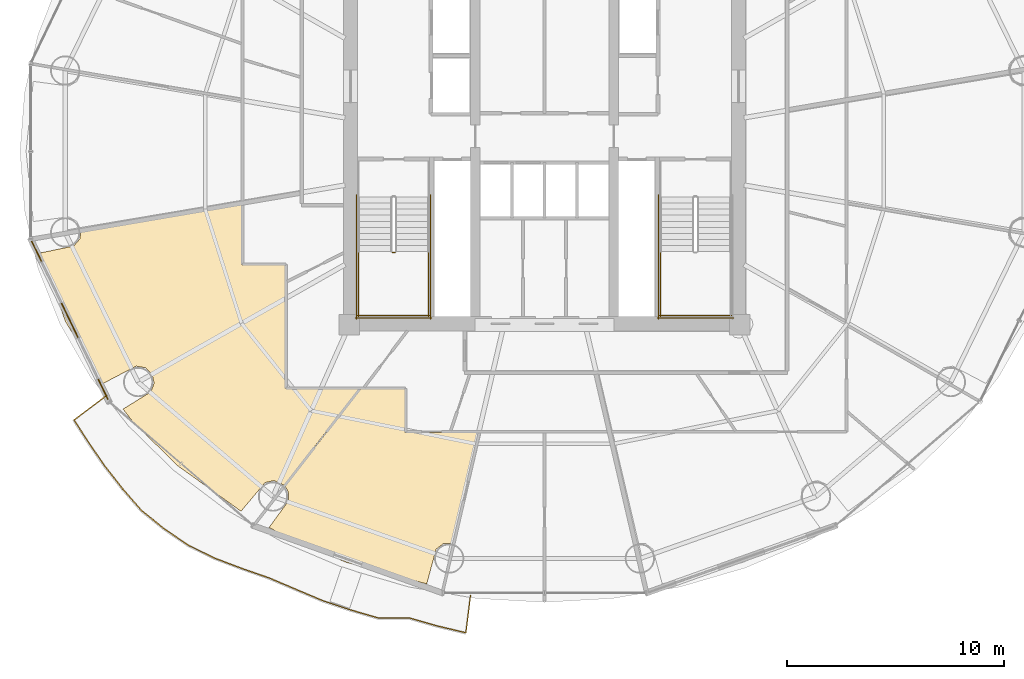
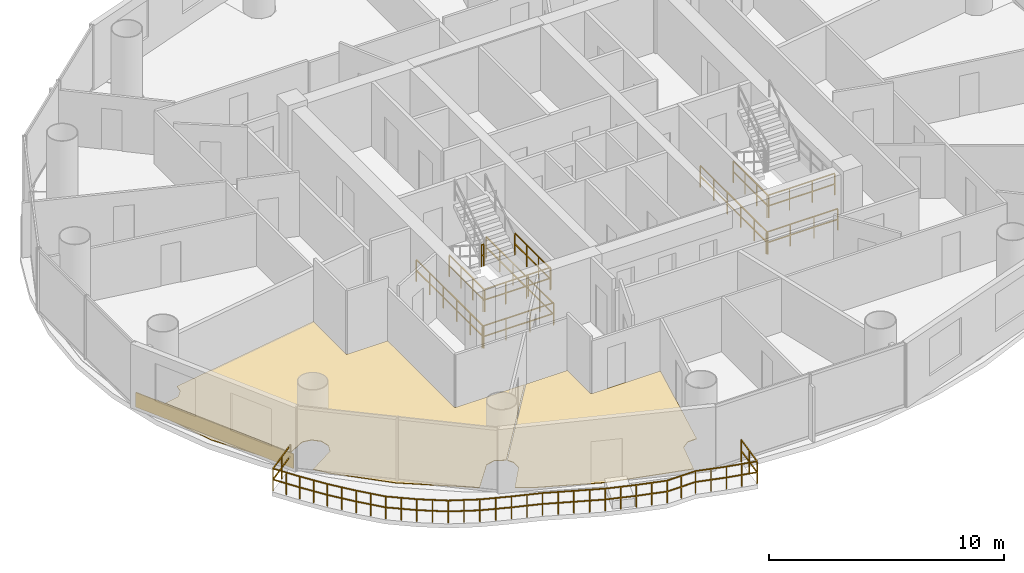
# One storey, part 24 of 26: 12 railings, 3 coverings.
"""IFC4 building model written with IfcOpenShell, lengths in metres."""

from ifc_helpers import new_model, si_unit, direction, frame, origin, origin_2d, place, context, subcontext, project, spatial, polyline, rectangle, outline, extrude, source, transform, mapped, material, layer, layer_set, type_object, element, save


model = new_model("IFC4")

# Units and contexts
model_context = context("Model", 3, precision=1e-05, world=origin(), true_north=direction((-0.2419218956, 0.970295726276)))
body_context = subcontext(model_context, "Body", "Model", "MODEL_VIEW")
ifc_project = project(units=[si_unit("LENGTHUNIT", "METRE"), si_unit("AREAUNIT", "SQUARE_METRE"), si_unit("VOLUMEUNIT", "CUBIC_METRE"), si_unit("PLANEANGLEUNIT", "RADIAN"), si_unit("MASSUNIT", "GRAM", prefix="KILO")], contexts=[model_context])

# Site, building, storey
site_placement = place(None, origin())
site = spatial("IfcSite", under=ifc_project, at=site_placement, CompositionType="ELEMENT")
building_placement = place(site_placement, origin())
building = spatial("IfcBuilding", under=site, at=building_placement, Name="Cobrevalo Terracotta Tower", CompositionType="ELEMENT")
storey_placement = place(building_placement, frame((0.0, 0.0, 135.39990234375)))
storey = spatial("IfcBuildingStorey", under=building, at=storey_placement, Name="L35", CompositionType="ELEMENT", Elevation=135.39990234375)

# Railing
ifc_material_1 = material(Name="Laminated structural glass and stainless steel", Category="steel")
railing_type_1 = type_object("IfcRailingType", Name="Balcony lobe structural glass & terracotta-cap balustrade 1180 mm", PredefinedType="BALUSTRADE", material=ifc_material_1)
railing_1_placement = place(storey_placement, frame((17.812744140625, 15.553955078125, 0.0)))
element("IfcRailing", 1, at=railing_1_placement, inside=storey, type_object=railing_type_1, Name="L35 spiralling balcony lobe balustrade 2", PredefinedType="BALUSTRADE", context=body_context, shape_type="SweptSolid", body=[
    extrude(rectangle(XDim=0.048095703125, YDim=0.048095703125, at=origin_2d()), frame((0.0, 0.0, 1.15576171875), z_axis=(-0.798656411587, -0.601787284869, 0.0), x_axis=(0.601787284869, -0.798656411587, 0.0)), (0.0, 0.0, 1.0), 1.89990234375),
    extrude(rectangle(XDim=0.048095703125, YDim=0.048095703125, at=origin_2d()), frame((0.0, 0.0, 0.58984375), z_axis=(-0.798656411587, -0.601787284869, 0.0), x_axis=(0.601787284869, -0.798656411587, 0.0)), (0.0, 0.0, 1.0), 1.89990234375),
    extrude(rectangle(XDim=0.048095703125, YDim=0.048095703125, at=origin_2d()), frame((-1.517333984375, -1.143310546875, 1.15576171875), z_axis=(0.541365481873, -0.840787378019, 0.0), x_axis=(0.840787378019, 0.541365481873, 0.0)), (0.0, 0.0, 1.0), 1.278564453125),
    extrude(rectangle(XDim=0.048095703125, YDim=0.048095703125, at=origin_2d()), frame((-1.517333984375, -1.143310546875, 0.58984375), z_axis=(0.541365481873, -0.840787378019, 0.0), x_axis=(0.840787378019, 0.541365481873, 0.0)), (0.0, 0.0, 1.0), 1.278564453125),
    extrude(rectangle(XDim=0.048095703125, YDim=0.048095703125, at=origin_2d()), frame((-0.8251953125, -2.21826171875, 1.15576171875), z_axis=(0.568436502893, -0.822727137135, 0.0), x_axis=(0.822727137135, 0.568436502893, 0.0)), (0.0, 0.0, 1.0), 1.297119140625),
    extrude(rectangle(XDim=0.048095703125, YDim=0.048095703125, at=origin_2d()), frame((-0.8251953125, -2.21826171875, 0.58984375), z_axis=(0.568436502893, -0.822727137135, 0.0), x_axis=(0.822727137135, 0.568436502893, 0.0)), (0.0, 0.0, 1.0), 1.297119140625),
    extrude(rectangle(XDim=0.048095703125, YDim=0.048095703125, at=origin_2d()), frame((-0.087890625, -3.285400390625, 1.15576171875), z_axis=(0.617117437076, -0.786871062409, 0.0), x_axis=(0.786871062409, 0.617117437076, 0.0)), (0.0, 0.0, 1.0), 1.3173828125),
    extrude(rectangle(XDim=0.048095703125, YDim=0.048095703125, at=origin_2d()), frame((-0.087890625, -3.285400390625, 0.58984375), z_axis=(0.617117437076, -0.786871062409, 0.0), x_axis=(0.786871062409, 0.617117437076, 0.0)), (0.0, 0.0, 1.0), 1.3173828125),
    extrude(rectangle(XDim=0.048095703125, YDim=0.048095703125, at=origin_2d()), frame((0.72509765625, -4.322021484375, 1.15576171875), z_axis=(0.655849886333, -0.754891334297, 0.0), x_axis=(0.754891334297, 0.655849886333, 0.0)), (0.0, 0.0, 1.0), 1.32373046875),
    extrude(rectangle(XDim=0.048095703125, YDim=0.048095703125, at=origin_2d()), frame((0.72509765625, -4.322021484375, 0.58984375), z_axis=(0.655849886333, -0.754891334297, 0.0), x_axis=(0.754891334297, 0.655849886333, 0.0)), (0.0, 0.0, 1.0), 1.32373046875),
    extrude(rectangle(XDim=0.048095703125, YDim=0.048095703125, at=origin_2d()), frame((1.59326171875, -5.3212890625, 1.15576171875), z_axis=(0.779372178767, -0.626561255556, 0.0), x_axis=(0.626561255556, 0.779372178767, 0.0)), (0.0, 0.0, 1.0), 1.3388671875),
    extrude(rectangle(XDim=0.048095703125, YDim=0.048095703125, at=origin_2d()), frame((1.59326171875, -5.3212890625, 0.58984375), z_axis=(0.779372178767, -0.626561255556, 0.0), x_axis=(0.626561255556, 0.779372178767, 0.0)), (0.0, 0.0, 1.0), 1.3388671875),
    extrude(rectangle(XDim=0.048095703125, YDim=0.048095703125, at=origin_2d()), frame((2.63671875, -6.16015625, 1.15576171875), z_axis=(0.825620548878, -0.564225760907, 0.0), x_axis=(0.564225760907, 0.825620548878, 0.0)), (0.0, 0.0, 1.0), 1.33740234375),
    extrude(rectangle(XDim=0.048095703125, YDim=0.048095703125, at=origin_2d()), frame((2.63671875, -6.16015625, 0.58984375), z_axis=(0.825620548878, -0.564225760907, 0.0), x_axis=(0.564225760907, 0.825620548878, 0.0)), (0.0, 0.0, 1.0), 1.33740234375),
    extrude(rectangle(XDim=0.048095703125, YDim=0.048095703125, at=origin_2d()), frame((3.740966796875, -6.914794921875, 1.15576171875), z_axis=(0.896585828938, -0.44287001631, 0.0), x_axis=(0.44287001631, 0.896585828938, 0.0)), (0.0, 0.0, 1.0), 1.3505859375),
    extrude(rectangle(XDim=0.048095703125, YDim=0.048095703125, at=origin_2d()), frame((3.740966796875, -6.914794921875, 0.58984375), z_axis=(0.896585828938, -0.44287001631, 0.0), x_axis=(0.44287001631, 0.896585828938, 0.0)), (0.0, 0.0, 1.0), 1.3505859375),
    extrude(rectangle(XDim=0.048095703125, YDim=0.048095703125, at=origin_2d()), frame((4.951904296875, -7.512939453125, 1.15576171875), z_axis=(0.935225211331, -0.354053391581, 0.0), x_axis=(0.354053391581, 0.935225211331, 0.0)), (0.0, 0.0, 1.0), 1.35986328125),
    extrude(rectangle(XDim=0.048095703125, YDim=0.048095703125, at=origin_2d()), frame((4.951904296875, -7.512939453125, 0.58984375), z_axis=(0.935225211331, -0.354053391581, 0.0), x_axis=(0.354053391581, 0.935225211331, 0.0)), (0.0, 0.0, 1.0), 1.35986328125),
    extrude(rectangle(XDim=0.048095703125, YDim=0.048095703125, at=origin_2d()), frame((6.2236328125, -7.994384765625, 1.15576171875), z_axis=(0.944403635811, -0.328788340223, 0.0), x_axis=(0.328788340223, 0.944403635811, 0.0)), (0.0, 0.0, 1.0), 1.343994140625),
    extrude(rectangle(XDim=0.048095703125, YDim=0.048095703125, at=origin_2d()), frame((6.2236328125, -7.994384765625, 0.58984375), z_axis=(0.944403635811, -0.328788340223, 0.0), x_axis=(0.328788340223, 0.944403635811, 0.0)), (0.0, 0.0, 1.0), 1.343994140625),
    extrude(rectangle(XDim=0.048095703125, YDim=0.048095703125, at=origin_2d()), frame((7.492919921875, -8.436279296875, 1.15576171875), z_axis=(0.920149056217, -0.391568275456, 0.0), x_axis=(0.391568275456, 0.920149056217, 0.0)), (0.0, 0.0, 1.0), 1.341796875),
    extrude(rectangle(XDim=0.048095703125, YDim=0.048095703125, at=origin_2d()), frame((7.492919921875, -8.436279296875, 0.58984375), z_axis=(0.920149056217, -0.391568275456, 0.0), x_axis=(0.391568275456, 0.920149056217, 0.0)), (0.0, 0.0, 1.0), 1.341796875),
    extrude(rectangle(XDim=0.048095703125, YDim=0.048095703125, at=origin_2d()), frame((8.7275390625, -8.961669921875, 1.15576171875), z_axis=(0.921343781407, -0.388748808953, 0.0), x_axis=(0.388748808953, 0.921343781407, 0.0)), (0.0, 0.0, 1.0), 1.3408203125),
    extrude(rectangle(XDim=0.048095703125, YDim=0.048095703125, at=origin_2d()), frame((8.7275390625, -8.961669921875, 0.58984375), z_axis=(0.921343781407, -0.388748808953, 0.0), x_axis=(0.388748808953, 0.921343781407, 0.0)), (0.0, 0.0, 1.0), 1.3408203125),
    extrude(rectangle(XDim=0.048095703125, YDim=0.048095703125, at=origin_2d()), frame((9.962890625, -9.48291015625, 1.15576171875), z_axis=(0.949296870619, -0.31438106087, 0.0), x_axis=(0.31438106087, 0.949296870619, 0.0)), (0.0, 0.0, 1.0), 1.348876953125),
    extrude(rectangle(XDim=0.048095703125, YDim=0.048095703125, at=origin_2d()), frame((9.962890625, -9.48291015625, 0.58984375), z_axis=(0.949296870619, -0.31438106087, 0.0), x_axis=(0.31438106087, 0.949296870619, 0.0)), (0.0, 0.0, 1.0), 1.348876953125),
    extrude(rectangle(XDim=0.048095703125, YDim=0.048095703125, at=origin_2d()), frame((11.243408203125, -9.906982421875, 1.15576171875), z_axis=(0.960034306764, -0.279882349991, 0.0), x_axis=(0.279882349991, 0.960034306764, 0.0)), (0.0, 0.0, 1.0), 1.354736328125),
    extrude(rectangle(XDim=0.048095703125, YDim=0.048095703125, at=origin_2d()), frame((11.243408203125, -9.906982421875, 0.58984375), z_axis=(0.960034306764, -0.279882349991, 0.0), x_axis=(0.279882349991, 0.960034306764, 0.0)), (0.0, 0.0, 1.0), 1.354736328125),
    extrude(rectangle(XDim=0.048095703125, YDim=0.048095703125, at=origin_2d()), frame((12.5439453125, -10.2861328125, 1.15576171875), z_axis=(0.999959805651, 0.008965884333, 0.0), x_axis=(-0.008965884333, 0.999959805651, 0.0)), (0.0, 0.0, 1.0), 1.388671875),
    extrude(rectangle(XDim=0.048095703125, YDim=0.048095703125, at=origin_2d()), frame((12.5439453125, -10.2861328125, 0.58984375), z_axis=(0.999959805651, 0.008965884333, 0.0), x_axis=(-0.008965884333, 0.999959805651, 0.0)), (0.0, 0.0, 1.0), 1.388671875),
    extrude(rectangle(XDim=0.048095703125, YDim=0.048095703125, at=origin_2d()), frame((13.9326171875, -10.273681640625, 1.15576171875), z_axis=(0.961652958864, -0.274269186582, 0.0), x_axis=(0.274269186582, 0.961652958864, 0.0)), (0.0, 0.0, 1.0), 1.355712890625),
    extrude(rectangle(XDim=0.048095703125, YDim=0.048095703125, at=origin_2d()), frame((13.9326171875, -10.273681640625, 0.58984375), z_axis=(0.961652958864, -0.274269186582, 0.0), x_axis=(0.274269186582, 0.961652958864, 0.0)), (0.0, 0.0, 1.0), 1.355712890625),
    extrude(rectangle(XDim=0.048095703125, YDim=0.048095703125, at=origin_2d()), frame((15.236328125, -10.6455078125, 1.15576171875), z_axis=(0.973015656678, -0.230739099113, 0.0), x_axis=(0.230739099113, 0.973015656678, 0.0)), (0.0, 0.0, 1.0), 1.360595703125),
    extrude(rectangle(XDim=0.048095703125, YDim=0.048095703125, at=origin_2d()), frame((15.236328125, -10.6455078125, 0.58984375), z_axis=(0.973015656678, -0.230739099113, 0.0), x_axis=(0.230739099113, 0.973015656678, 0.0)), (0.0, 0.0, 1.0), 1.360595703125),
    extrude(rectangle(XDim=0.048095703125, YDim=0.048095703125, at=origin_2d()), frame((16.560302734375, -10.95947265625, 1.15576171875), z_axis=(0.122385975291, 0.99248258073, 0.0), x_axis=(-0.99248258073, 0.122385975291, 0.0)), (0.0, 0.0, 1.0), 1.7314453125),
    extrude(rectangle(XDim=0.048095703125, YDim=0.048095703125, at=origin_2d()), frame((16.560302734375, -10.95947265625, 0.58984375), z_axis=(0.122385975291, 0.99248258073, 0.0), x_axis=(-0.99248258073, 0.122385975291, 0.0)), (0.0, 0.0, 1.0), 1.7314453125),
    extrude(rectangle(XDim=0.0419921875, YDim=0.0419921875, at=origin_2d()), origin(), (0.0, 0.0, 1.0), 1.1318359375),
    extrude(rectangle(XDim=0.0419921875, YDim=0.0419921875, at=origin_2d()), frame((-0.7587890625, -0.57177734375, 0.0)), (0.0, 0.0, 1.0), 1.1318359375),
    extrude(rectangle(XDim=0.0419921875, YDim=0.0419921875, at=origin_2d()), frame((-1.517333984375, -1.143310546875, 0.0)), (0.0, 0.0, 1.0), 1.1318359375),
    extrude(rectangle(XDim=0.0419921875, YDim=0.0419921875, at=origin_2d()), frame((-1.17138671875, -1.6806640625, 0.0)), (0.0, 0.0, 1.0), 1.1318359375),
    extrude(rectangle(XDim=0.0419921875, YDim=0.0419921875, at=origin_2d()), frame((-0.8251953125, -2.21826171875, 0.0)), (0.0, 0.0, 1.0), 1.1318359375),
    extrude(rectangle(XDim=0.0419921875, YDim=0.0419921875, at=origin_2d()), frame((-0.45654296875, -2.751953125, 0.0)), (0.0, 0.0, 1.0), 1.1318359375),
    extrude(rectangle(XDim=0.0419921875, YDim=0.0419921875, at=origin_2d()), frame((-0.087890625, -3.285400390625, 0.0)), (0.0, 0.0, 1.0), 1.1318359375),
    extrude(rectangle(XDim=0.0419921875, YDim=0.0419921875, at=origin_2d()), frame((0.318603515625, -3.8037109375, 0.0)), (0.0, 0.0, 1.0), 1.1318359375),
    extrude(rectangle(XDim=0.0419921875, YDim=0.0419921875, at=origin_2d()), frame((0.72509765625, -4.322021484375, 0.0)), (0.0, 0.0, 1.0), 1.1318359375),
    extrude(rectangle(XDim=0.0419921875, YDim=0.0419921875, at=origin_2d()), frame((1.1591796875, -4.82177734375, 0.0)), (0.0, 0.0, 1.0), 1.1318359375),
    extrude(rectangle(XDim=0.0419921875, YDim=0.0419921875, at=origin_2d()), frame((1.59326171875, -5.3212890625, 0.0)), (0.0, 0.0, 1.0), 1.1318359375),
    extrude(rectangle(XDim=0.0419921875, YDim=0.0419921875, at=origin_2d()), frame((2.114990234375, -5.74072265625, 0.0)), (0.0, 0.0, 1.0), 1.1318359375),
    extrude(rectangle(XDim=0.0419921875, YDim=0.0419921875, at=origin_2d()), frame((2.63671875, -6.16015625, 0.0)), (0.0, 0.0, 1.0), 1.1318359375),
    extrude(rectangle(XDim=0.0419921875, YDim=0.0419921875, at=origin_2d()), frame((3.18896484375, -6.53759765625, 0.0)), (0.0, 0.0, 1.0), 1.1318359375),
    extrude(rectangle(XDim=0.0419921875, YDim=0.0419921875, at=origin_2d()), frame((3.740966796875, -6.914794921875, 0.0)), (0.0, 0.0, 1.0), 1.1318359375),
    extrude(rectangle(XDim=0.0419921875, YDim=0.0419921875, at=origin_2d()), frame((4.346435546875, -7.2138671875, 0.0)), (0.0, 0.0, 1.0), 1.1318359375),
    extrude(rectangle(XDim=0.0419921875, YDim=0.0419921875, at=origin_2d()), frame((4.951904296875, -7.512939453125, 0.0)), (0.0, 0.0, 1.0), 1.1318359375),
    extrude(rectangle(XDim=0.0419921875, YDim=0.0419921875, at=origin_2d()), frame((5.587890625, -7.753662109375, 0.0)), (0.0, 0.0, 1.0), 1.1318359375),
    extrude(rectangle(XDim=0.0419921875, YDim=0.0419921875, at=origin_2d()), frame((6.2236328125, -7.994384765625, 0.0)), (0.0, 0.0, 1.0), 1.1318359375),
    extrude(rectangle(XDim=0.0419921875, YDim=0.0419921875, at=origin_2d()), frame((6.8583984375, -8.21533203125, 0.0)), (0.0, 0.0, 1.0), 1.1318359375),
    extrude(rectangle(XDim=0.0419921875, YDim=0.0419921875, at=origin_2d()), frame((7.492919921875, -8.436279296875, 0.0)), (0.0, 0.0, 1.0), 1.1318359375),
    extrude(rectangle(XDim=0.0419921875, YDim=0.0419921875, at=origin_2d()), frame((8.1103515625, -8.698974609375, 0.0)), (0.0, 0.0, 1.0), 1.1318359375),
    extrude(rectangle(XDim=0.0419921875, YDim=0.0419921875, at=origin_2d()), frame((8.7275390625, -8.961669921875, 0.0)), (0.0, 0.0, 1.0), 1.1318359375),
    extrude(rectangle(XDim=0.0419921875, YDim=0.0419921875, at=origin_2d()), frame((9.34521484375, -9.22216796875, 0.0)), (0.0, 0.0, 1.0), 1.1318359375),
    extrude(rectangle(XDim=0.0419921875, YDim=0.0419921875, at=origin_2d()), frame((9.962890625, -9.48291015625, 0.0)), (0.0, 0.0, 1.0), 1.1318359375),
    extrude(rectangle(XDim=0.0419921875, YDim=0.0419921875, at=origin_2d()), frame((10.60302734375, -9.69482421875, 0.0)), (0.0, 0.0, 1.0), 1.1318359375),
    extrude(rectangle(XDim=0.0419921875, YDim=0.0419921875, at=origin_2d()), frame((11.243408203125, -9.906982421875, 0.0)), (0.0, 0.0, 1.0), 1.1318359375),
    extrude(rectangle(XDim=0.0419921875, YDim=0.0419921875, at=origin_2d()), frame((11.8935546875, -10.0966796875, 0.0)), (0.0, 0.0, 1.0), 1.1318359375),
    extrude(rectangle(XDim=0.0419921875, YDim=0.0419921875, at=origin_2d()), frame((12.5439453125, -10.2861328125, 0.0)), (0.0, 0.0, 1.0), 1.1318359375),
    extrude(rectangle(XDim=0.0419921875, YDim=0.0419921875, at=origin_2d()), frame((13.23828125, -10.27978515625, 0.0)), (0.0, 0.0, 1.0), 1.1318359375),
    extrude(rectangle(XDim=0.0419921875, YDim=0.0419921875, at=origin_2d()), frame((13.9326171875, -10.273681640625, 0.0)), (0.0, 0.0, 1.0), 1.1318359375),
    extrude(rectangle(XDim=0.0419921875, YDim=0.0419921875, at=origin_2d()), frame((14.58447265625, -10.45947265625, 0.0)), (0.0, 0.0, 1.0), 1.1318359375),
    extrude(rectangle(XDim=0.0419921875, YDim=0.0419921875, at=origin_2d()), frame((15.236328125, -10.6455078125, 0.0)), (0.0, 0.0, 1.0), 1.1318359375),
    extrude(rectangle(XDim=0.0419921875, YDim=0.0419921875, at=origin_2d()), frame((15.8984375, -10.802490234375, 0.0)), (0.0, 0.0, 1.0), 1.1318359375),
    extrude(rectangle(XDim=0.0419921875, YDim=0.0419921875, at=origin_2d()), frame((16.560302734375, -10.95947265625, 0.0)), (0.0, 0.0, 1.0), 1.1318359375),
    extrude(rectangle(XDim=0.0419921875, YDim=0.0419921875, at=origin_2d()), frame((16.666259765625, -10.10009765625, 0.0)), (0.0, 0.0, 1.0), 1.1318359375),
    extrude(rectangle(XDim=0.0419921875, YDim=0.0419921875, at=origin_2d()), frame((16.772216796875, -9.240966796875, 0.0)), (0.0, 0.0, 1.0), 1.1318359375),
])

# Coverings
ifc_material_2 = material(Name="Engineered Brazilian hardwood flooring", Category="wood")
ifc_layer_1 = layer(ifc_material_2, 0.028076171875)
ifc_layer_set_1 = layer_set([ifc_layer_1], Name="Engineered Brazilian hardwood flooring")
covering_type_1 = type_object("IfcCoveringType", Name="Engineered Hardwood Suite Flooring 28", PredefinedType="FLOORING", material=ifc_layer_set_1)
covering_1_placement = place(storey_placement, origin())
element("IfcCovering", 2, at=covering_1_placement, inside=storey, type_object=covering_type_1, Name="Flat L35C Penthouse Living and Dining Room floor finish", PredefinedType="FLOORING", context=body_context, shape_type="SweptSolid", body=[
    extrude(outline(polyline([(21.0849609375, 12.291259765625), (19.02197265625, 14.309326171875), (18.551513671875, 14.91357421875), (19.834228515625, 15.705810546875), (19.988525390625, 16.10693359375), (19.89404296875, 16.526123046875), (19.582763671875, 16.822021484375), (19.1591796875, 16.895263671875), (17.632568359375, 16.09375), (15.900390625, 18.948486328125), (14.748291015625, 22.121826171875), (16.2763671875, 22.43701171875), (16.55859375, 22.760986328125), (16.617431640625, 23.1240234375), (24.044921875, 24.393798828125), (24.044921875, 21.570068359375), (26.054931640625, 21.570068359375), (26.054931640625, 15.85498046875), (29.466064453125, 15.85498046875), (25.997802734375, 11.3935546875), (25.529296875, 11.615234375), (25.109619140625, 11.522705078125), (23.99755859375, 10.2001953125), (21.0849609375, 12.291259765625)])), origin(), (0.0, 0.0, 1.0), 0.030029296875),
])
covering_2_placement = place(storey_placement, origin())
element("IfcCovering", 3, at=covering_2_placement, inside=storey, type_object=covering_type_1, Name="Flat L35C Master Bedroom floor finish", PredefinedType="FLOORING", context=body_context, shape_type="SweptSolid", body=[
    extrude(outline(polyline([(28.84521484375, 7.84228515625), (26.038818359375, 9.02978515625), (25.295166015625, 9.4560546875), (26.184326171875, 10.67724609375), (26.175537109375, 11.106689453125), (26.02490234375, 11.363525390625), (29.5166015625, 15.85498046875), (31.570068359375, 15.85498046875), (31.570068359375, 13.844970703125), (34.9814453125, 13.844970703125), (33.796630859375, 8.72607421875), (33.3408203125, 8.7109375), (32.99951171875, 8.44970703125), (32.567138671875, 6.849853515625), (28.84521484375, 7.84228515625)])), origin(), (0.0, 0.0, 1.0), 0.030029296875),
])

# Railings
ifc_material_3 = material(Name="Painted galvanized steel", Category="steel")
railing_type_2 = type_object("IfcRailingType", Name="Stair Well Guard Balustrade 1150", PredefinedType="GUARDRAIL", material=ifc_material_3)
railing_2_placement = place(storey_placement, frame((30.97509765625, 22.1298828125, 1.800048828125)))
element("IfcRailing", 4, at=railing_2_placement, inside=storey, type_object=railing_type_2, Name="L35 ST-1 stair guard 2", PredefinedType="GUARDRAIL", context=body_context, shape_type="SweptSolid", body=[
    extrude(rectangle(XDim=0.048095703125, YDim=0.048095703125, at=origin_2d()), frame((0.0, 0.0, 1.1259765625), z_axis=(1.0, 0.0, 0.0), x_axis=(0.0, 1.0, 0.0)), (0.0, 0.0, 1.0), 0.119873046875),
    extrude(rectangle(XDim=0.048095703125, YDim=0.048095703125, at=origin_2d()), frame((0.0, 0.0, 0.574951171875), z_axis=(1.0, 0.0, 0.0), x_axis=(0.0, 1.0, 0.0)), (0.0, 0.0, 1.0), 0.119873046875),
    extrude(rectangle(XDim=0.0419921875, YDim=0.0419921875, at=origin_2d()), origin(), (0.0, 0.0, 1.0), 1.101806640625),
    extrude(rectangle(XDim=0.0419921875, YDim=0.0419921875, at=origin_2d()), frame((0.119873046875, 0.0, 0.0)), (0.0, 0.0, 1.0), 1.101806640625),
])
for number, where, name in (
    (5, (29.425048828125, 22.179931640625, 1.800048828125), "L35 ST-1 stair guard 3"),
    (6, (32.64501953125, 22.179931640625, 1.800048828125), "L35 ST-1 stair guard 4"),
):
    element("IfcRailing", number, at=place(storey_placement, frame(where)), inside=storey, type_object=railing_type_2, Name=name, PredefinedType="GUARDRAIL", context=body_context, shape_type="SweptSolid", body=[
        extrude(rectangle(XDim=0.048095703125, YDim=0.048095703125, at=origin_2d()), frame((0.0, 0.0, 1.1259765625), z_axis=(0.0, -1.0, 0.0), x_axis=(1.0, 0.0, 0.0)), (0.0, 0.0, 1.0), 3.0048828125),
        extrude(rectangle(XDim=0.048095703125, YDim=0.048095703125, at=origin_2d()), frame((0.0, 0.0, 0.574951171875), z_axis=(0.0, -1.0, 0.0), x_axis=(1.0, 0.0, 0.0)), (0.0, 0.0, 1.0), 3.0048828125),
        extrude(rectangle(XDim=0.0419921875, YDim=0.0419921875, at=origin_2d()), origin(), (0.0, 0.0, 1.0), 1.101806640625),
        extrude(rectangle(XDim=0.0419921875, YDim=0.0419921875, at=origin_2d()), frame((0.0, -1.001708984375, 0.0)), (0.0, 0.0, 1.0), 1.101806640625),
        extrude(rectangle(XDim=0.0419921875, YDim=0.0419921875, at=origin_2d()), frame((0.0, -2.003173828125, 0.0)), (0.0, 0.0, 1.0), 1.101806640625),
        extrude(rectangle(XDim=0.0419921875, YDim=0.0419921875, at=origin_2d()), frame((0.0, -3.0048828125, 0.0)), (0.0, 0.0, 1.0), 1.101806640625),
    ])
railing_3_placement = place(storey_placement, frame((29.375, 19.22509765625, 1.800048828125)))
element("IfcRailing", 7, at=railing_3_placement, inside=storey, type_object=railing_type_2, Name="L35 ST-1 stair guard 5", PredefinedType="GUARDRAIL", context=body_context, shape_type="SweptSolid", body=[
    extrude(rectangle(XDim=0.048095703125, YDim=0.048095703125, at=origin_2d()), frame((0.0, 0.0, 1.1259765625), z_axis=(1.0, 0.0, 0.0), x_axis=(0.0, 1.0, 0.0)), (0.0, 0.0, 1.0), 3.320068359375),
    extrude(rectangle(XDim=0.048095703125, YDim=0.048095703125, at=origin_2d()), frame((0.0, 0.0, 0.574951171875), z_axis=(1.0, 0.0, 0.0), x_axis=(0.0, 1.0, 0.0)), (0.0, 0.0, 1.0), 3.320068359375),
    extrude(rectangle(XDim=0.0419921875, YDim=0.0419921875, at=origin_2d()), origin(), (0.0, 0.0, 1.0), 1.101806640625),
    extrude(rectangle(XDim=0.0419921875, YDim=0.0419921875, at=origin_2d()), frame((1.106689453125, 0.0, 0.0)), (0.0, 0.0, 1.0), 1.101806640625),
    extrude(rectangle(XDim=0.0419921875, YDim=0.0419921875, at=origin_2d()), frame((2.21337890625, 0.0, 0.0)), (0.0, 0.0, 1.0), 1.101806640625),
    extrude(rectangle(XDim=0.0419921875, YDim=0.0419921875, at=origin_2d()), frame((3.320068359375, 0.0, 0.0)), (0.0, 0.0, 1.0), 1.101806640625),
])
for number, where, name in (
    (8, (29.324951171875, 24.800048828125, 0.0), "L35 ST-1 stair guard 10"),
    (9, (32.7451171875, 24.800048828125, 0.0), "L35 ST-1 stair guard 11"),
):
    element("IfcRailing", number, at=place(storey_placement, frame(where)), inside=storey, type_object=railing_type_2, Name=name, PredefinedType="GUARDRAIL", context=body_context, shape_type="SweptSolid", body=[
        extrude(rectangle(XDim=0.048095703125, YDim=0.048095703125, at=origin_2d()), frame((0.0, 0.0, 1.1259765625), z_axis=(0.0, -1.0, 0.0), x_axis=(1.0, 0.0, 0.0)), (0.0, 0.0, 1.0), 5.72509765625),
        extrude(rectangle(XDim=0.048095703125, YDim=0.048095703125, at=origin_2d()), frame((0.0, 0.0, 0.574951171875), z_axis=(0.0, -1.0, 0.0), x_axis=(1.0, 0.0, 0.0)), (0.0, 0.0, 1.0), 5.72509765625),
        extrude(rectangle(XDim=0.0419921875, YDim=0.0419921875, at=origin_2d()), origin(), (0.0, 0.0, 1.0), 1.101806640625),
        extrude(rectangle(XDim=0.0419921875, YDim=0.0419921875, at=origin_2d()), frame((0.0, -1.14501953125, 0.0)), (0.0, 0.0, 1.0), 1.101806640625),
        extrude(rectangle(XDim=0.0419921875, YDim=0.0419921875, at=origin_2d()), frame((0.0, -2.2900390625, 0.0)), (0.0, 0.0, 1.0), 1.101806640625),
        extrude(rectangle(XDim=0.0419921875, YDim=0.0419921875, at=origin_2d()), frame((0.0, -3.43505859375, 0.0)), (0.0, 0.0, 1.0), 1.101806640625),
        extrude(rectangle(XDim=0.0419921875, YDim=0.0419921875, at=origin_2d()), frame((0.0, -4.580078125, 0.0)), (0.0, 0.0, 1.0), 1.101806640625),
        extrude(rectangle(XDim=0.0419921875, YDim=0.0419921875, at=origin_2d()), frame((0.0, -5.72509765625, 0.0)), (0.0, 0.0, 1.0), 1.101806640625),
    ])
railing_4_placement = place(storey_placement, frame((29.27490234375, 19.125, 0.0)))
element("IfcRailing", 10, at=railing_4_placement, inside=storey, type_object=railing_type_2, Name="L35 ST-1 stair guard 12", PredefinedType="GUARDRAIL", context=body_context, shape_type="SweptSolid", body=[
    extrude(rectangle(XDim=0.048095703125, YDim=0.048095703125, at=origin_2d()), frame((0.0, 0.0, 1.1259765625), z_axis=(1.0, 0.0, 0.0), x_axis=(0.0, 1.0, 0.0)), (0.0, 0.0, 1.0), 3.52001953125),
    extrude(rectangle(XDim=0.048095703125, YDim=0.048095703125, at=origin_2d()), frame((0.0, 0.0, 0.574951171875), z_axis=(1.0, 0.0, 0.0), x_axis=(0.0, 1.0, 0.0)), (0.0, 0.0, 1.0), 3.52001953125),
    extrude(rectangle(XDim=0.0419921875, YDim=0.0419921875, at=origin_2d()), origin(), (0.0, 0.0, 1.0), 1.101806640625),
    extrude(rectangle(XDim=0.0419921875, YDim=0.0419921875, at=origin_2d()), frame((1.17333984375, 0.0, 0.0)), (0.0, 0.0, 1.0), 1.101806640625),
    extrude(rectangle(XDim=0.0419921875, YDim=0.0419921875, at=origin_2d()), frame((2.3466796875, 0.0, 0.0)), (0.0, 0.0, 1.0), 1.101806640625),
    extrude(rectangle(XDim=0.0419921875, YDim=0.0419921875, at=origin_2d()), frame((3.52001953125, 0.0, 0.0)), (0.0, 0.0, 1.0), 1.101806640625),
])
railing_5_placement = place(storey_placement, frame((43.35498046875, 22.179931640625, 1.800048828125)))
element("IfcRailing", 11, at=railing_5_placement, inside=storey, type_object=railing_type_2, Name="L35 ST-2 stair guard 3", PredefinedType="GUARDRAIL", context=body_context, shape_type="SweptSolid", body=[
    extrude(rectangle(XDim=0.048095703125, YDim=0.048095703125, at=origin_2d()), frame((0.0, 0.0, 1.1259765625), z_axis=(0.0, -1.0, 0.0), x_axis=(1.0, 0.0, 0.0)), (0.0, 0.0, 1.0), 3.0048828125),
    extrude(rectangle(XDim=0.048095703125, YDim=0.048095703125, at=origin_2d()), frame((0.0, 0.0, 0.574951171875), z_axis=(0.0, -1.0, 0.0), x_axis=(1.0, 0.0, 0.0)), (0.0, 0.0, 1.0), 3.0048828125),
    extrude(rectangle(XDim=0.0419921875, YDim=0.0419921875, at=origin_2d()), origin(), (0.0, 0.0, 1.0), 1.101806640625),
    extrude(rectangle(XDim=0.0419921875, YDim=0.0419921875, at=origin_2d()), frame((0.0, -1.001708984375, 0.0)), (0.0, 0.0, 1.0), 1.101806640625),
    extrude(rectangle(XDim=0.0419921875, YDim=0.0419921875, at=origin_2d()), frame((0.0, -2.003173828125, 0.0)), (0.0, 0.0, 1.0), 1.101806640625),
    extrude(rectangle(XDim=0.0419921875, YDim=0.0419921875, at=origin_2d()), frame((0.0, -3.0048828125, 0.0)), (0.0, 0.0, 1.0), 1.101806640625),
])
railing_6_placement = place(storey_placement, frame((43.304931640625, 19.22509765625, 1.800048828125)))
element("IfcRailing", 12, at=railing_6_placement, inside=storey, type_object=railing_type_2, Name="L35 ST-2 stair guard 5", PredefinedType="GUARDRAIL", context=body_context, shape_type="SweptSolid", body=[
    extrude(rectangle(XDim=0.048095703125, YDim=0.048095703125, at=origin_2d()), frame((0.0, 0.0, 1.1259765625), z_axis=(1.0, 0.0, 0.0), x_axis=(0.0, 1.0, 0.0)), (0.0, 0.0, 1.0), 3.320068359375),
    extrude(rectangle(XDim=0.048095703125, YDim=0.048095703125, at=origin_2d()), frame((0.0, 0.0, 0.574951171875), z_axis=(1.0, 0.0, 0.0), x_axis=(0.0, 1.0, 0.0)), (0.0, 0.0, 1.0), 3.320068359375),
    extrude(rectangle(XDim=0.0419921875, YDim=0.0419921875, at=origin_2d()), origin(), (0.0, 0.0, 1.0), 1.101806640625),
    extrude(rectangle(XDim=0.0419921875, YDim=0.0419921875, at=origin_2d()), frame((1.106689453125, 0.0, 0.0)), (0.0, 0.0, 1.0), 1.101806640625),
    extrude(rectangle(XDim=0.0419921875, YDim=0.0419921875, at=origin_2d()), frame((2.21337890625, 0.0, 0.0)), (0.0, 0.0, 1.0), 1.101806640625),
    extrude(rectangle(XDim=0.0419921875, YDim=0.0419921875, at=origin_2d()), frame((3.320068359375, 0.0, 0.0)), (0.0, 0.0, 1.0), 1.101806640625),
])
railing_7_placement = place(storey_placement, frame((43.2548828125, 24.800048828125, 0.0)))
element("IfcRailing", 13, at=railing_7_placement, inside=storey, type_object=railing_type_2, Name="L35 ST-2 stair guard 10", PredefinedType="GUARDRAIL", context=body_context, shape_type="SweptSolid", body=[
    extrude(rectangle(XDim=0.048095703125, YDim=0.048095703125, at=origin_2d()), frame((0.0, 0.0, 1.1259765625), z_axis=(0.0, -1.0, 0.0), x_axis=(1.0, 0.0, 0.0)), (0.0, 0.0, 1.0), 5.72509765625),
    extrude(rectangle(XDim=0.048095703125, YDim=0.048095703125, at=origin_2d()), frame((0.0, 0.0, 0.574951171875), z_axis=(0.0, -1.0, 0.0), x_axis=(1.0, 0.0, 0.0)), (0.0, 0.0, 1.0), 5.72509765625),
    extrude(rectangle(XDim=0.0419921875, YDim=0.0419921875, at=origin_2d()), origin(), (0.0, 0.0, 1.0), 1.101806640625),
    extrude(rectangle(XDim=0.0419921875, YDim=0.0419921875, at=origin_2d()), frame((0.0, -1.14501953125, 0.0)), (0.0, 0.0, 1.0), 1.101806640625),
    extrude(rectangle(XDim=0.0419921875, YDim=0.0419921875, at=origin_2d()), frame((0.0, -2.2900390625, 0.0)), (0.0, 0.0, 1.0), 1.101806640625),
    extrude(rectangle(XDim=0.0419921875, YDim=0.0419921875, at=origin_2d()), frame((0.0, -3.43505859375, 0.0)), (0.0, 0.0, 1.0), 1.101806640625),
    extrude(rectangle(XDim=0.0419921875, YDim=0.0419921875, at=origin_2d()), frame((0.0, -4.580078125, 0.0)), (0.0, 0.0, 1.0), 1.101806640625),
    extrude(rectangle(XDim=0.0419921875, YDim=0.0419921875, at=origin_2d()), frame((0.0, -5.72509765625, 0.0)), (0.0, 0.0, 1.0), 1.101806640625),
])
railing_8_placement = place(storey_placement, frame((43.205078125, 19.125, 0.0)))
element("IfcRailing", 14, at=railing_8_placement, inside=storey, type_object=railing_type_2, Name="L35 ST-2 stair guard 12", PredefinedType="GUARDRAIL", context=body_context, shape_type="SweptSolid", body=[
    extrude(rectangle(XDim=0.048095703125, YDim=0.048095703125, at=origin_2d()), frame((0.0, 0.0, 1.1259765625), z_axis=(1.0, 0.0, 0.0), x_axis=(0.0, 1.0, 0.0)), (0.0, 0.0, 1.0), 3.52001953125),
    extrude(rectangle(XDim=0.048095703125, YDim=0.048095703125, at=origin_2d()), frame((0.0, 0.0, 0.574951171875), z_axis=(1.0, 0.0, 0.0), x_axis=(0.0, 1.0, 0.0)), (0.0, 0.0, 1.0), 3.52001953125),
    extrude(rectangle(XDim=0.0419921875, YDim=0.0419921875, at=origin_2d()), origin(), (0.0, 0.0, 1.0), 1.101806640625),
    extrude(rectangle(XDim=0.0419921875, YDim=0.0419921875, at=origin_2d()), frame((1.17333984375, 0.0, 0.0)), (0.0, 0.0, 1.0), 1.101806640625),
    extrude(rectangle(XDim=0.0419921875, YDim=0.0419921875, at=origin_2d()), frame((2.3466796875, 0.0, 0.0)), (0.0, 0.0, 1.0), 1.101806640625),
    extrude(rectangle(XDim=0.0419921875, YDim=0.0419921875, at=origin_2d()), frame((3.52001953125, 0.0, 0.0)), (0.0, 0.0, 1.0), 1.101806640625),
])

# Covering
ifc_material_4 = material(Name="Glazed terracotta facade cladding tile", Category="masonry")
ifc_layer_2 = layer(ifc_material_4, 0.044921875)
ifc_layer_set_2 = layer_set([ifc_layer_2], Name="Glazed terracotta facade cladding tile")
covering_type_2 = type_object("IfcCoveringType", Name="Architectural terracotta rainscreen spandrel cladding 45 mm", PredefinedType="CLADDING", material=ifc_layer_set_2)
shared_shape = source(origin(), body_context, "Body", "SweptSolid", [
    extrude(rectangle(XDim=8.111572265625, YDim=0.044921875, at=origin_2d()), origin(), (0.0, 0.0, 1.0), 0.760009765625),
])
covering_3_placement = place(storey_placement, frame((16.098876953125, 19.00439453125, 0.0400390625), z_axis=(0.0, 0.0, 1.0), x_axis=(0.434209440271, -0.900811945957, 0.0)))
element("IfcCovering", 15, at=covering_3_placement, inside=storey, type_object=covering_type_2, Name="L35 terracotta spandrel cladding S09", PredefinedType="CLADDING", context=body_context, shape_type="MappedRepresentation", body=[
    mapped(shared_shape, transform((0.0, 0.0, 0.0), scale=1.0)),
])

save(model, "model.ifc")
